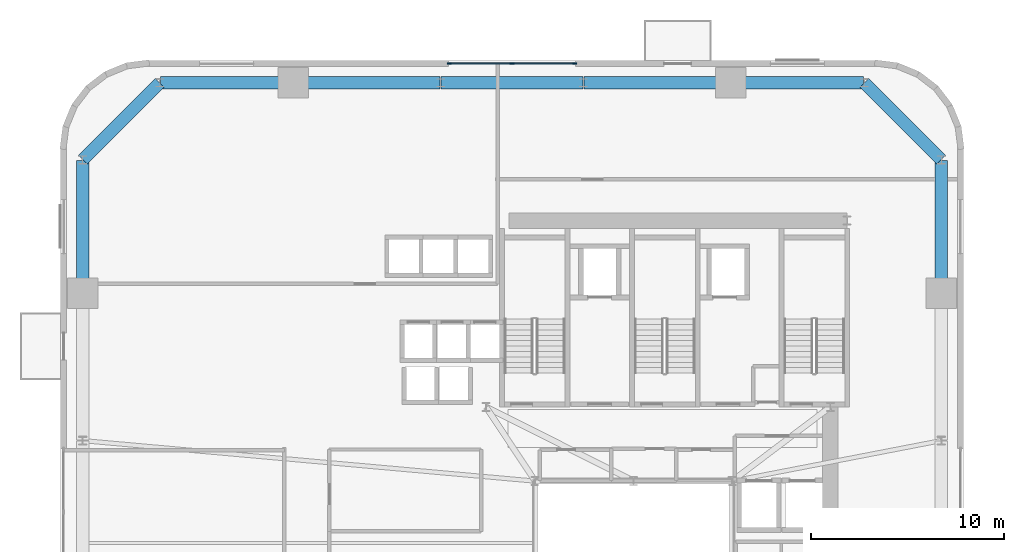
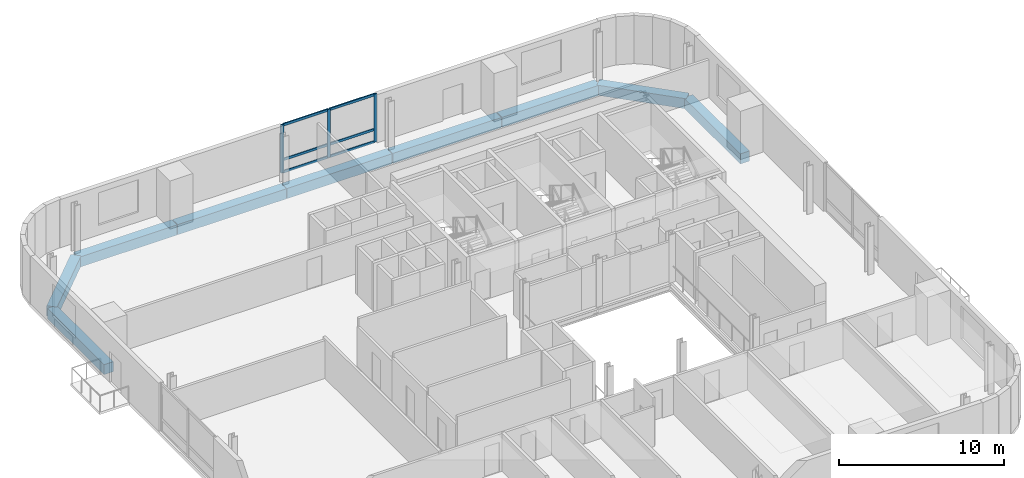
# One storey, part 4 of 14: 9 beams, 9 members, 1 element without a shape of its own.
"""IFC4 building model written with IfcOpenShell, lengths in metres."""

import ifcopenshell
import ifcopenshell.guid

model = None  # the IFC model being written
_history = None  # IfcOwnerHistory: only IFC2X3 demands one
_inside = {}  # id of a spatial element -> (the spatial element, [elements in it])
_under = {}  # id of a project, library or spatial element -> (it, [spatial elements below it])
_declared = {}  # id of a project -> (the project, [libraries it declares])
_typed = {}  # id of a type object -> (the type object, [elements of that type])
_made_of = {}  # id of a material, layer set ... -> (it, [elements and type objects made of it])


def new_model(schema):
    """Start an empty IFC model of exactly this schema.

    Asked for "IFC4X3", IfcOpenShell would pick the latest addendum, in which some entities
    have other attributes; the version numbers below select the first issue.
    IFC2X3 requires an IfcOwnerHistory on every rooted entity: one is made here for all.
    """
    global model, _history
    if schema == "IFC4X3":
        model = ifcopenshell.file(schema_version=(4, 3, 0, 0))
    else:
        model = ifcopenshell.file(schema=schema)
    _inside.clear()
    _under.clear()
    _declared.clear()
    _typed.clear()
    _made_of.clear()
    _history = None
    if model.schema == "IFC2X3":
        org = make("IfcOrganization", Name="unknown")
        user = make(
            "IfcPersonAndOrganization",
            ThePerson=make("IfcPerson", FamilyName="unknown"),
            TheOrganization=org,
        )
        app = make(
            "IfcApplication",
            ApplicationDeveloper=org,
            Version="unknown",
            ApplicationFullName="unknown",
            ApplicationIdentifier="unknown",
        )
        _history = make(
            "IfcOwnerHistory",
            OwningUser=user,
            OwningApplication=app,
            ChangeAction="ADDED",
            CreationDate=0,
        )
    return model


def make(cls, **values):
    """One entity of the class cls with the attributes given. An attribute that is None is left unset."""
    return model.create_entity(
        cls, **{name: value for name, value in values.items() if value is not None}
    )


def rooted(cls, **values):
    """An entity with a GlobalId (a new one), such as an element, a storey or a relation."""
    return make(cls, GlobalId=ifcopenshell.guid.new(), OwnerHistory=_history, **values)


def si_unit(unit_type, name, prefix=None):
    """IfcSIUnit, for example si_unit("LENGTHUNIT", "METRE", prefix="MILLI")."""
    return make("IfcSIUnit", UnitType=unit_type, Prefix=prefix, Name=name)


def assignment(units):
    """IfcUnitAssignment: the units of a project."""
    return None if units is None else make("IfcUnitAssignment", Units=units)


def point(xyz):
    """IfcCartesianPoint."""
    return None if xyz is None else make("IfcCartesianPoint", Coordinates=xyz)


def direction(xyz):
    """IfcDirection."""
    return None if xyz is None else make("IfcDirection", DirectionRatios=xyz)


def frame(location, z_axis=None, x_axis=None):
    """IfcAxis2Placement3D, a coordinate frame: its origin and axes. An axis left out is left unset."""
    return make(
        "IfcAxis2Placement3D",
        Location=point(location),
        Axis=direction(z_axis),
        RefDirection=direction(x_axis),
    )


def frame_2d(location, x_axis=None):
    """IfcAxis2Placement2D, a coordinate frame in the plane: its origin and x axis."""
    return make(
        "IfcAxis2Placement2D", Location=point(location), RefDirection=direction(x_axis)
    )


def origin():
    """The frame at (0, 0, 0) with its axes left unset."""
    return frame((0.0, 0.0, 0.0))


def origin_2d():
    """The frame at (0, 0) in the plane with its x axis left unset."""
    return frame_2d((0.0, 0.0))


def place(relative_to, where):
    """IfcLocalPlacement: puts the frame where relative to a parent placement (None: the world)."""
    return make(
        "IfcLocalPlacement", PlacementRelTo=relative_to, RelativePlacement=where
    )


def context(
    kind, dimensions, precision=None, world=None, true_north=None, identifier=None
):
    """IfcGeometricRepresentationContext, for example the 3D "Model" context."""
    return make(
        "IfcGeometricRepresentationContext",
        ContextIdentifier=identifier,
        ContextType=kind,
        CoordinateSpaceDimension=dimensions,
        Precision=precision,
        WorldCoordinateSystem=world,
        TrueNorth=true_north,
    )


def subcontext(parent, identifier, kind, view, scale=None):
    """IfcGeometricRepresentationSubContext, for example "Body" below "Model"."""
    return make(
        "IfcGeometricRepresentationSubContext",
        ContextIdentifier=identifier,
        ContextType=kind,
        ParentContext=parent,
        TargetScale=scale,
        TargetView=view,
    )


def project(units=None, contexts=None):
    """IfcProject with its units and contexts."""
    return rooted(
        "IfcProject",
        Name="project",
        RepresentationContexts=contexts,
        UnitsInContext=assignment(units),
    )


def spatial(cls, under=None, at=None, **own):
    """A site, building, storey or space (cls), placed at a placement, below another one or the project."""
    s = rooted(cls, ObjectPlacement=at, **own)
    if under is not None:
        _under.setdefault(under.id(), (under, []))[1].append(s)
    return s


def profile(cls, at=None, kind="AREA", **sizes):
    """A parametric profile (cls). Its sizes go by their IFC names, for example OverallWidth=200.0."""
    return make(cls, ProfileType=kind, Position=at, **sizes)


def rectangle(**sizes):
    """IfcRectangleProfileDef."""
    return profile("IfcRectangleProfileDef", **sizes)


def extrude(swept, where, along, depth):
    """IfcExtrudedAreaSolid: the profile swept, set in the frame where, extruded along a direction by depth."""
    return make(
        "IfcExtrudedAreaSolid",
        SweptArea=swept,
        Position=where,
        ExtrudedDirection=direction(along),
        Depth=depth,
    )


def shape(context_of_items, identifier, shape_type, items):
    """IfcShapeRepresentation: the items that make up one representation, for example the "Body"."""
    return make(
        "IfcShapeRepresentation",
        ContextOfItems=context_of_items,
        RepresentationIdentifier=identifier,
        RepresentationType=shape_type,
        Items=items,
    )


def source(mapping_origin, context_of_items, identifier, shape_type, items):
    """IfcRepresentationMap: a shape defined once, which mapped items show again and again."""
    return make(
        "IfcRepresentationMap",
        MappingOrigin=mapping_origin,
        MappedRepresentation=shape(context_of_items, identifier, shape_type, items),
    )


def transform(
    local_origin,
    x_axis=None,
    y_axis=None,
    z_axis=None,
    scale=None,
    scale2=None,
    scale3=None,
    uniform=True,
):
    """IfcCartesianTransformationOperator3D, or its non-uniform kind. x_axis, y_axis, z_axis: its Axis1, 2, 3."""
    if uniform:
        return make(
            "IfcCartesianTransformationOperator3D",
            Axis1=direction(x_axis),
            Axis2=direction(y_axis),
            LocalOrigin=point(local_origin),
            Scale=scale,
            Axis3=direction(z_axis),
        )
    return make(
        "IfcCartesianTransformationOperator3DnonUniform",
        Axis1=direction(x_axis),
        Axis2=direction(y_axis),
        LocalOrigin=point(local_origin),
        Scale=scale,
        Axis3=direction(z_axis),
        Scale2=scale2,
        Scale3=scale3,
    )


def mapped(mapping_source, mapping_target):
    """IfcMappedItem: shows the shape of a source again, moved by a transform."""
    return make(
        "IfcMappedItem", MappingSource=mapping_source, MappingTarget=mapping_target
    )


def material(Name=None, Category=None):
    """IfcMaterial."""
    return make("IfcMaterial", Name=Name, Category=Category)


def material_profile(
    of_material, cross_section, Name=None, Category=None, Priority=None
):
    """IfcMaterialProfile: a cross section and its material."""
    return make(
        "IfcMaterialProfile",
        Name=Name,
        Material=of_material,
        Profile=cross_section,
        Priority=Priority,
        Category=Category,
    )


def profile_set(profiles, Name=None, composite=None):
    """IfcMaterialProfileSet."""
    return make(
        "IfcMaterialProfileSet",
        Name=Name,
        MaterialProfiles=profiles,
        CompositeProfile=composite,
    )


def made_of(thing, what):
    """Note that an element or type object is made of a material, layer set ...; save() writes the relation."""
    if what is not None:
        _made_of.setdefault(what.id(), (what, []))[1].append(thing)
    return thing


def type_object(cls, material=None, **own):
    """A type object (cls), such as IfcWallType, which elements share."""
    return made_of(rooted(cls, **own), material)


def element(
    cls,
    number,
    at=None,
    inside=None,
    cuts=None,
    type_object=None,
    material=None,
    context=None,
    identifier="Body",
    shape_type=None,
    held_by="IfcProductDefinitionShape",
    body=None,
    shapes=None,
    **own,
):
    """One element of the class cls, such as IfcWall. Its Tag is "e" and its number.

    at: its placement. inside: the storey or other place that contains it. cuts: it is an
    opening in that element (IfcRelVoidsElement). A single representation is given by context,
    identifier, shape_type and body (its items); several are given by shapes. held_by: the class
    of the entity that holds the representations. save() writes the other relations.
    """
    e = rooted(cls, Tag="e%d" % number, ObjectPlacement=at, **own)
    if body is not None:
        shapes = [shape(context, identifier, shape_type, body)]
    if shapes is not None:
        e.Representation = make(held_by, Representations=shapes)
    if inside is not None:
        _inside.setdefault(inside.id(), (inside, []))[1].append(e)
    if cuts is not None:
        rooted(
            "IfcRelVoidsElement", RelatingBuildingElement=cuts, RelatedOpeningElement=e
        )
    if type_object is not None:
        _typed.setdefault(type_object.id(), (type_object, []))[1].append(e)
    return made_of(e, material)


def aggregate(whole, parts):
    """IfcRelAggregates: a whole, such as a stair, and the parts it consists of."""
    return rooted("IfcRelAggregates", RelatingObject=whole, RelatedObjects=parts)


def save(model, path):
    """Write the relations noted so far, then the file.

    IfcRelAggregates (storeys below a building ...), IfcRelContainedInSpatialStructure (elements
    in a storey), IfcRelDefinesByType, IfcRelAssociatesMaterial and IfcRelDeclares: one each for
    every whole, place, type object, material and project.
    """
    for whole, parts in _under.values():
        aggregate(whole, parts)
    for where, things in _inside.values():
        rooted(
            "IfcRelContainedInSpatialStructure",
            RelatedElements=things,
            RelatingStructure=where,
        )
    for kind, things in _typed.values():
        rooted("IfcRelDefinesByType", RelatedObjects=things, RelatingType=kind)
    for what, things in _made_of.values():
        rooted("IfcRelAssociatesMaterial", RelatedObjects=things, RelatingMaterial=what)
    for by, libraries in _declared.values():
        rooted("IfcRelDeclares", RelatingContext=by, RelatedDefinitions=libraries)
    model.write(path)


model = new_model("IFC4")

# Units and contexts
model_context = context("Model", 3, precision=1e-05, world=origin(), true_north=direction((0.0, 1.0)))
body_context = subcontext(model_context, "Body", "Model", "MODEL_VIEW")
ifc_project = project(units=[si_unit("LENGTHUNIT", "METRE"), si_unit("AREAUNIT", "SQUARE_METRE"), si_unit("VOLUMEUNIT", "CUBIC_METRE"), si_unit("PLANEANGLEUNIT", "RADIAN"), si_unit("MASSUNIT", "GRAM", prefix="KILO")], contexts=[model_context])

# Site, building, storey
site_placement = place(None, origin())
site = spatial("IfcSite", under=ifc_project, at=site_placement, CompositionType="ELEMENT")
building_placement = place(site_placement, origin())
building = spatial("IfcBuilding", under=site, at=building_placement, Name="Vardaveli Station Tower", CompositionType="ELEMENT")
storey_placement = place(building_placement, frame((0.0, 0.0, 103.699951171875)))
storey = spatial("IfcBuildingStorey", under=building, at=storey_placement, Name="L26", CompositionType="ELEMENT", Elevation=103.699951171875)

# Beams
ifc_material_1 = material(Name="Precast concrete C45/55", Category="concrete")
ifc_material_profile_1 = material_profile(ifc_material_1, rectangle(XDim=0.64990234375, YDim=0.75, at=origin_2d()), Name="LPB 650x750")
ifc_profile_set_1 = profile_set([ifc_material_profile_1], Name="Precast concrete C45/55")
beam_type = type_object("IfcBeamType", Name="BM-LPB-750", PredefinedType="BEAM", material=ifc_profile_set_1)
shared_shape_1 = source(origin(), body_context, "Body", "SweptSolid", [
    extrude(rectangle(XDim=0.64990234375, YDim=0.75, at=origin_2d()), origin(), (0.0, 0.0, 1.0), 7.60009765625),
])
for number, where, z_axis, x_axis, name in (
    (1, (41.320068359375, 47.449951171875, -0.614990234375), (-1.0, 0.0, 0.0), (0.0, -1.0, 0.0), "RBM-L26-13"),
    (2, (26.280029296875, 47.449951171875, -0.614990234375), (-1.0, 0.0, 0.0), (0.0, -1.0, 0.0), "RBM-L26-15"),
):
    element("IfcBeam", number, at=place(storey_placement, frame(where, z_axis=z_axis, x_axis=x_axis)), inside=storey, type_object=beam_type, Name=name, PredefinedType="BEAM", context=body_context, shape_type="MappedRepresentation", body=[
        mapped(shared_shape_1, transform((0.0, 0.0, 0.0), scale=1.0)),
    ])
shared_shape_2 = source(origin(), body_context, "Body", "SweptSolid", [
    extrude(rectangle(XDim=0.64990234375, YDim=0.75, at=origin_2d()), origin(), (0.0, 0.0, 1.0), 7.35986328125),
])
beam_placement = place(storey_placement, frame((33.679931640625, 47.449951171875, -0.614990234375), z_axis=(-1.0, 0.0, 0.0), x_axis=(0.0, -1.0, 0.0)))
element("IfcBeam", 3, at=beam_placement, inside=storey, type_object=beam_type, Name="RBM-L26-14", PredefinedType="BEAM", context=body_context, shape_type="MappedRepresentation", body=[
    mapped(shared_shape_2, transform((0.0, 0.0, 0.0), scale=1.0)),
])
shared_shape_3 = source(origin(), body_context, "Body", "SweptSolid", [
    extrude(rectangle(XDim=0.64990234375, YDim=0.75, at=origin_2d()), origin(), (0.0, 0.0, 1.0), 6.869873046875),
])
for number, where, z_axis, x_axis, name in (
    (4, (52.25, 36.56005859375, -0.614990234375), (0.0, 1.0, 0.0), (-1.0, 0.0, 0.0), "RBM-L26-10"),
    (5, (48.22998046875, 47.449951171875, -0.614990234375), (-1.0, 0.0, 0.0), (0.0, -1.0, 0.0), "RBM-L26-12"),
    (6, (18.639892578125, 47.449951171875, -0.614990234375), (-1.0, 0.0, 0.0), (0.0, -1.0, 0.0), "RBM-L26-16"),
    (7, (7.75, 43.429931640625, -0.614990234375), (0.0, -1.0, 0.0), (1.0, 0.0, 0.0), "RBM-L26-18"),
):
    element("IfcBeam", number, at=place(storey_placement, frame(where, z_axis=z_axis, x_axis=x_axis)), inside=storey, type_object=beam_type, Name=name, PredefinedType="BEAM", context=body_context, shape_type="MappedRepresentation", body=[
        mapped(shared_shape_3, transform((0.0, 0.0, 0.0), scale=1.0)),
    ])
shared_shape_4 = source(origin(), body_context, "Body", "SweptSolid", [
    extrude(rectangle(XDim=0.64990234375, YDim=0.75, at=origin_2d()), origin(), (0.0, 0.0, 1.0), 5.61669921875),
])
for number, where, z_axis, x_axis, name in (
    (8, (52.23583984375, 43.464111328125, -0.614990234375), (-0.707106781187, 0.707106781187, 0.0), (-0.707106781187, -0.707106781187, 0.0), "RBM-L26-11"),
    (9, (11.73583984375, 47.435791015625, -0.614990234375), (-0.707106781187, -0.707106781187, 0.0), (0.707106781187, -0.707106781187, 0.0), "RBM-L26-17"),
):
    element("IfcBeam", number, at=place(storey_placement, frame(where, z_axis=z_axis, x_axis=x_axis)), inside=storey, type_object=beam_type, Name=name, PredefinedType="BEAM", context=body_context, shape_type="MappedRepresentation", body=[
        mapped(shared_shape_4, transform((0.0, 0.0, 0.0), scale=1.0)),
    ])

# Curtain wall, members
ifc_material_2 = material(Name="Travertine stone and solar-control glass", Category="masonry")
curtain_wall_type = type_object("IfcCurtainWallType", Name="CW-SYS-2", PredefinedType="NOTDEFINED", material=ifc_material_2)
curtain_wall_placement = place(storey_placement, origin())
curtain_wall = element("IfcCurtainWall", 10, at=curtain_wall_placement, inside=storey, type_object=curtain_wall_type, Name="CW-L26-N", PredefinedType="NOTDEFINED")
ifc_material_3 = material(Name="Anodised aluminium alloy 6063-T6", Category="aluminium")
ifc_material_profile_2 = material_profile(ifc_material_3, rectangle(XDim=0.0849609375, YDim=0.179931640625, at=origin_2d()), Name="CWT 85x180")
ifc_profile_set_2 = profile_set([ifc_material_profile_2], Name="Anodised aluminium alloy 6063-T6")
member_type_1 = type_object("IfcMemberType", Name="CW-SYS-2-TRAN", PredefinedType="NOTDEFINED", material=ifc_profile_set_2)
shared_shape_5 = source(origin(), body_context, "Body", "SweptSolid", [
    extrude(rectangle(XDim=0.0849609375, YDim=0.179931640625, at=origin_2d()), origin(), (0.0, 0.0, 1.0), 3.172607421875),
])
member_1_placement = place(storey_placement, frame((33.215087890625, 48.43994140625, 0.04248046875), z_axis=(-1.0, 0.0, 0.0), x_axis=(0.0, -1.0, 0.0)))
member_1 = element("IfcMember", 11, at=member_1_placement, type_object=member_type_1, Name="CW-2 transom 1.1", ObjectType="TRANSOM", PredefinedType="USERDEFINED", context=body_context, shape_type="MappedRepresentation", body=[
    mapped(shared_shape_5, transform((0.0, 0.0, 0.0), scale=1.0)),
])
member_2_placement = place(storey_placement, frame((33.215087890625, 48.43994140625, 0.949951171875), z_axis=(-1.0, 0.0, 0.0), x_axis=(0.0, -1.0, 0.0)))
member_2 = element("IfcMember", 12, at=member_2_placement, type_object=member_type_1, Name="CW-2 transom 1.2", ObjectType="TRANSOM", PredefinedType="USERDEFINED", context=body_context, shape_type="MappedRepresentation", body=[
    mapped(shared_shape_5, transform((0.0, 0.0, 0.0), scale=1.0)),
])
member_3_placement = place(storey_placement, frame((33.215087890625, 48.43994140625, 3.517578125), z_axis=(-1.0, 0.0, 0.0), x_axis=(0.0, -1.0, 0.0)))
member_3 = element("IfcMember", 13, at=member_3_placement, type_object=member_type_1, Name="CW-2 transom 1.3", ObjectType="TRANSOM", PredefinedType="USERDEFINED", context=body_context, shape_type="MappedRepresentation", body=[
    mapped(shared_shape_5, transform((0.0, 0.0, 0.0), scale=1.0)),
])
member_4_placement = place(storey_placement, frame((29.95751953125, 48.43994140625, 0.04248046875), z_axis=(-1.0, 0.0, 0.0), x_axis=(0.0, -1.0, 0.0)))
member_4 = element("IfcMember", 14, at=member_4_placement, type_object=member_type_1, Name="CW-2 transom 2.1", ObjectType="TRANSOM", PredefinedType="USERDEFINED", context=body_context, shape_type="MappedRepresentation", body=[
    mapped(shared_shape_5, transform((0.0, 0.0, 0.0), scale=1.0)),
])
member_5_placement = place(storey_placement, frame((29.95751953125, 48.43994140625, 0.949951171875), z_axis=(-1.0, 0.0, 0.0), x_axis=(0.0, -1.0, 0.0)))
member_5 = element("IfcMember", 15, at=member_5_placement, type_object=member_type_1, Name="CW-2 transom 2.2", ObjectType="TRANSOM", PredefinedType="USERDEFINED", context=body_context, shape_type="MappedRepresentation", body=[
    mapped(shared_shape_5, transform((0.0, 0.0, 0.0), scale=1.0)),
])
member_6_placement = place(storey_placement, frame((29.95751953125, 48.43994140625, 3.517578125), z_axis=(-1.0, 0.0, 0.0), x_axis=(0.0, -1.0, 0.0)))
member_6 = element("IfcMember", 16, at=member_6_placement, type_object=member_type_1, Name="CW-2 transom 2.3", ObjectType="TRANSOM", PredefinedType="USERDEFINED", context=body_context, shape_type="MappedRepresentation", body=[
    mapped(shared_shape_5, transform((0.0, 0.0, 0.0), scale=1.0)),
])
ifc_material_profile_3 = material_profile(ifc_material_3, rectangle(XDim=0.0849609375, YDim=0.219970703125, at=origin_2d()), Name="CWM 85x220")
ifc_profile_set_3 = profile_set([ifc_material_profile_3], Name="Anodised aluminium alloy 6063-T6")
member_type_2 = type_object("IfcMemberType", Name="CW-SYS-2-MULL", PredefinedType="MULLION", material=ifc_profile_set_3)
shared_shape_6 = source(origin(), body_context, "Body", "SweptSolid", [
    extrude(rectangle(XDim=0.0849609375, YDim=0.219970703125, at=origin_2d()), origin(), (0.0, 0.0, 1.0), 3.56005859375),
])
member_7_placement = place(storey_placement, frame((33.257568359375, 48.43994140625, 0.0), z_axis=(0.0, 0.0, 1.0), x_axis=(0.0, -1.0, 0.0)))
member_7 = element("IfcMember", 17, at=member_7_placement, type_object=member_type_2, Name="CW-2 mullion 1", PredefinedType="MULLION", context=body_context, shape_type="MappedRepresentation", body=[
    mapped(shared_shape_6, transform((0.0, 0.0, 0.0), scale=1.0)),
])
member_8_placement = place(storey_placement, frame((30.0, 48.43994140625, 0.0), z_axis=(0.0, 0.0, 1.0), x_axis=(0.0, -1.0, 0.0)))
member_8 = element("IfcMember", 18, at=member_8_placement, type_object=member_type_2, Name="CW-2 mullion 2", PredefinedType="MULLION", context=body_context, shape_type="MappedRepresentation", body=[
    mapped(shared_shape_6, transform((0.0, 0.0, 0.0), scale=1.0)),
])
member_9_placement = place(storey_placement, frame((26.742431640625, 48.43994140625, 0.0), z_axis=(0.0, 0.0, 1.0), x_axis=(0.0, -1.0, 0.0)))
member_9 = element("IfcMember", 19, at=member_9_placement, type_object=member_type_2, Name="CW-2 mullion 3", PredefinedType="MULLION", context=body_context, shape_type="MappedRepresentation", body=[
    mapped(shared_shape_6, transform((0.0, 0.0, 0.0), scale=1.0)),
])
aggregate(curtain_wall, [member_7, member_8, member_9, member_1, member_2, member_3, member_4, member_5, member_6])

save(model, "model.ifc")
